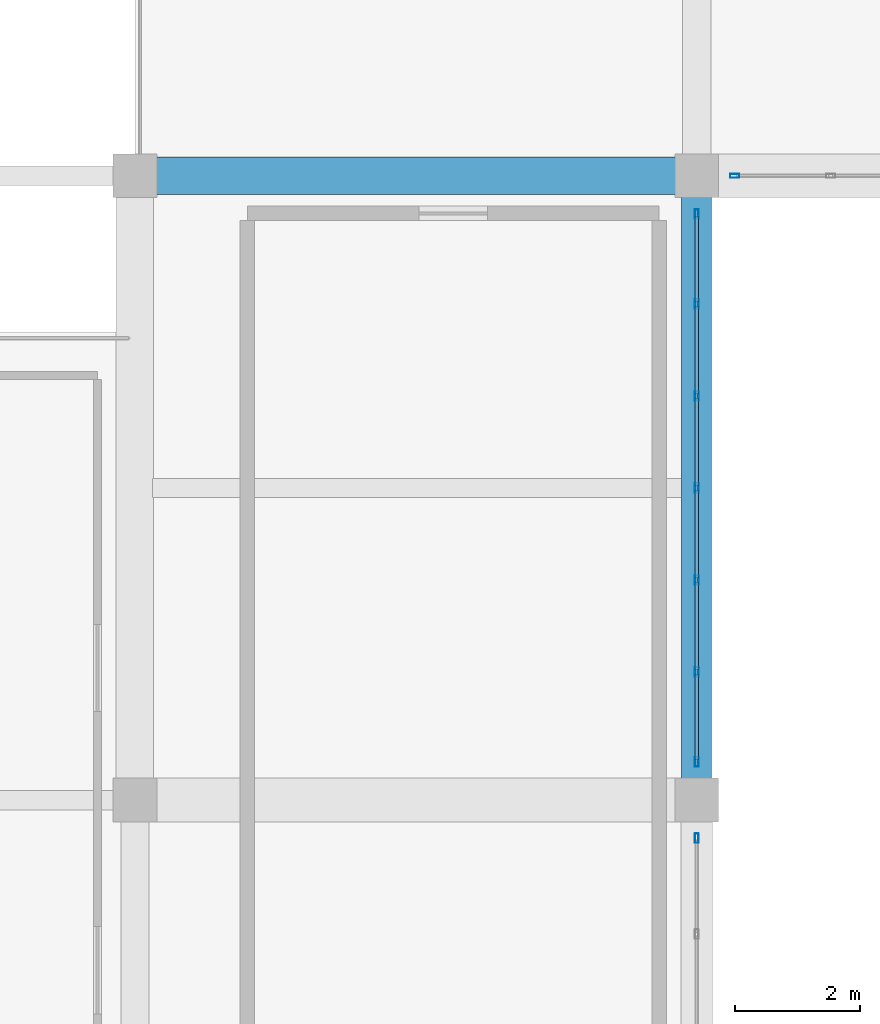
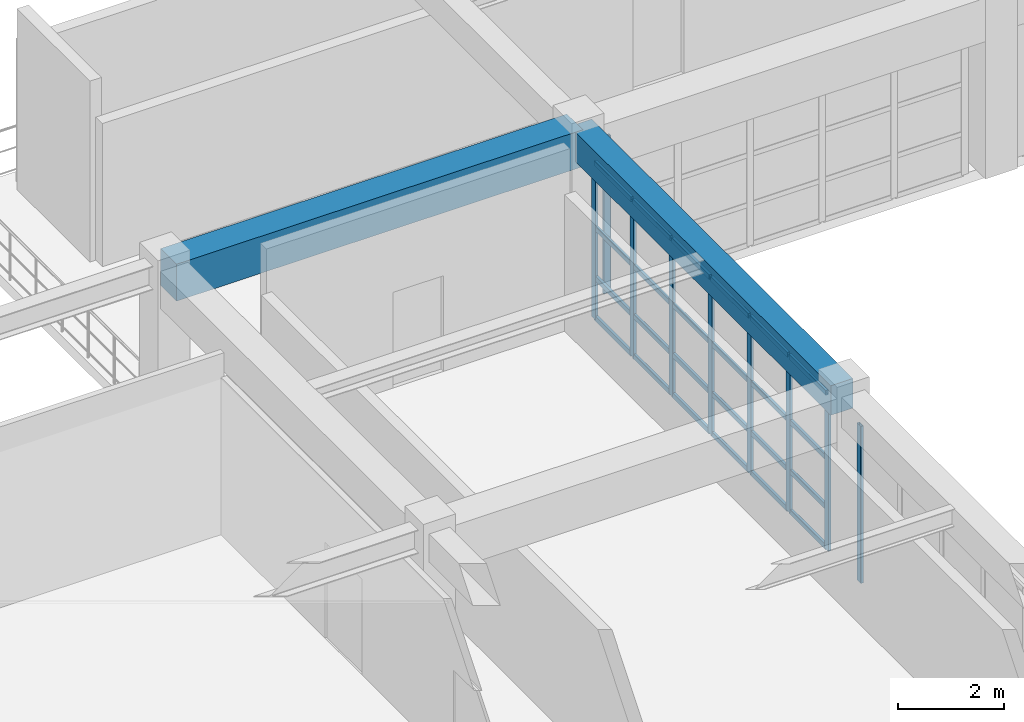
# One storey, part 25 of 133: 33 members, 2 beams, 3 elements without a shape of their own.
"""IFC4 building model written with IfcOpenShell, lengths in metres."""

from ifc_helpers import new_model, si_unit, direction, frame, origin, origin_2d, place, context, subcontext, project, spatial, rectangle, hollow_rectangle, extrude, material, material_profile, profile_set, type_object, element, aggregate, save


model = new_model("IFC4")

# Units and contexts
model_context = context("Model", 3, precision=1e-05, world=origin(), true_north=direction((0.0, 1.0)))
body_context = subcontext(model_context, "Body", "Model", "MODEL_VIEW")
ifc_project = project(units=[si_unit("LENGTHUNIT", "METRE"), si_unit("AREAUNIT", "SQUARE_METRE"), si_unit("VOLUMEUNIT", "CUBIC_METRE"), si_unit("PLANEANGLEUNIT", "RADIAN"), si_unit("MASSUNIT", "GRAM", prefix="KILO")], contexts=[model_context])

# Site, building, storey
site_placement = place(None, origin())
site = spatial("IfcSite", under=ifc_project, at=site_placement, CompositionType="ELEMENT")
building_placement = place(site_placement, origin())
building = spatial("IfcBuilding", under=site, at=building_placement, Name="Miravela Opera House", CompositionType="ELEMENT")
storey_placement = place(building_placement, frame((0.0, 0.0, 5.10009765625)))
storey = spatial("IfcBuildingStorey", under=building, at=storey_placement, Name="L01", CompositionType="ELEMENT", Elevation=5.10009765625)

# Curtain wall, member
ifc_material_1 = material(Name="Anodised architectural bronze aluminium 6063-T6", Category="aluminium")
curtain_wall_type = type_object("IfcCurtainWallType", Name="ARC-CW-06", PredefinedType="NOTDEFINED", material=ifc_material_1)
curtain_wall_1_placement = place(storey_placement, origin())
curtain_wall_1 = element("IfcCurtainWall", 1, at=curtain_wall_1_placement, inside=storey, type_object=curtain_wall_type, Name="Courtyard Arcade Curtain Wall CW-L01-124", PredefinedType="NOTDEFINED")
ifc_material_profile_1 = material_profile(ifc_material_1, hollow_rectangle(XDim=0.06005859375, YDim=0.14990234375, WallThickness=0.00390625, InnerFilletRadius=0.001953125, OuterFilletRadius=0.00390625, at=origin_2d()), Name="CWM-60X150")
ifc_profile_set_1 = profile_set([ifc_material_profile_1])
member_type_1 = type_object("IfcMemberType", Name="ARC-CWM-150", PredefinedType="MULLION", material=ifc_profile_set_1)
member_1_placement = place(storey_placement, frame((27.610107421875, 28.0, 0.0), z_axis=(0.0, 0.0, 1.0), x_axis=(0.0, 1.0, 0.0)))
member_1 = element("IfcMember", 2, at=member_1_placement, type_object=member_type_1, Name="CW-06 mullion 1", PredefinedType="MULLION", context=body_context, shape_type="SweptSolid", body=[
    extrude(hollow_rectangle(XDim=0.06005859375, YDim=0.14990234375, WallThickness=0.00390625, InnerFilletRadius=0.001953125, OuterFilletRadius=0.00390625, at=origin_2d()), origin(), (0.0, 0.0, 1.0), 3.60986328125),
])
aggregate(curtain_wall_1, [member_1])

curtain_wall_2_placement = place(storey_placement, origin())
curtain_wall_2 = element("IfcCurtainWall", 3, at=curtain_wall_2_placement, inside=storey, type_object=curtain_wall_type, Name="Courtyard Arcade Curtain Wall CW-L01-132", PredefinedType="NOTDEFINED")
member_2_placement = place(storey_placement, frame((27.0, 17.389892578125, 0.0), z_axis=(0.0, 0.0, 1.0), x_axis=(-1.0, 0.0, 0.0)))
member_2 = element("IfcMember", 4, at=member_2_placement, type_object=member_type_1, Name="CW-06 mullion 6", PredefinedType="MULLION", context=body_context, shape_type="SweptSolid", body=[
    extrude(hollow_rectangle(XDim=0.06005859375, YDim=0.14990234375, WallThickness=0.00390625, InnerFilletRadius=0.001953125, OuterFilletRadius=0.00390625, at=origin_2d()), origin(), (0.0, 0.0, 1.0), 3.60986328125),
])
aggregate(curtain_wall_2, [member_2])

# Curtain wall, members
curtain_wall_3_placement = place(storey_placement, origin())
curtain_wall_3 = element("IfcCurtainWall", 5, at=curtain_wall_3_placement, inside=storey, type_object=curtain_wall_type, Name="Courtyard Arcade Curtain Wall CW-L01-133", PredefinedType="NOTDEFINED")
member_3_placement = place(storey_placement, frame((27.0, 18.610107421875, 0.0), z_axis=(0.0, 0.0, 1.0), x_axis=(-1.0, 0.0, 0.0)))
member_3 = element("IfcMember", 6, at=member_3_placement, type_object=member_type_1, Name="CW-06 mullion 1", PredefinedType="MULLION", context=body_context, shape_type="SweptSolid", body=[
    extrude(hollow_rectangle(XDim=0.06005859375, YDim=0.14990234375, WallThickness=0.00390625, InnerFilletRadius=0.001953125, OuterFilletRadius=0.00390625, at=origin_2d()), origin(), (0.0, 0.0, 1.0), 3.60986328125),
])
member_4_placement = place(storey_placement, frame((27.0, 20.05322265625, 0.0), z_axis=(0.0, 0.0, 1.0), x_axis=(-1.0, 0.0, 0.0)))
member_4 = element("IfcMember", 7, at=member_4_placement, type_object=member_type_1, Name="CW-06 mullion 2", PredefinedType="MULLION", context=body_context, shape_type="SweptSolid", body=[
    extrude(hollow_rectangle(XDim=0.06005859375, YDim=0.14990234375, WallThickness=0.00390625, InnerFilletRadius=0.001953125, OuterFilletRadius=0.00390625, at=origin_2d()), origin(), (0.0, 0.0, 1.0), 3.60986328125),
])
member_5_placement = place(storey_placement, frame((27.0, 21.526611328125, 0.0), z_axis=(0.0, 0.0, 1.0), x_axis=(-1.0, 0.0, 0.0)))
member_5 = element("IfcMember", 8, at=member_5_placement, type_object=member_type_1, Name="CW-06 mullion 3", PredefinedType="MULLION", context=body_context, shape_type="SweptSolid", body=[
    extrude(hollow_rectangle(XDim=0.06005859375, YDim=0.14990234375, WallThickness=0.00390625, InnerFilletRadius=0.001953125, OuterFilletRadius=0.00390625, at=origin_2d()), origin(), (0.0, 0.0, 1.0), 3.60986328125),
])
member_6_placement = place(storey_placement, frame((27.0, 23.0, 0.0), z_axis=(0.0, 0.0, 1.0), x_axis=(-1.0, 0.0, 0.0)))
member_6 = element("IfcMember", 9, at=member_6_placement, type_object=member_type_1, Name="CW-06 mullion 4", PredefinedType="MULLION", context=body_context, shape_type="SweptSolid", body=[
    extrude(hollow_rectangle(XDim=0.06005859375, YDim=0.14990234375, WallThickness=0.00390625, InnerFilletRadius=0.001953125, OuterFilletRadius=0.00390625, at=origin_2d()), origin(), (0.0, 0.0, 1.0), 3.60986328125),
])
member_7_placement = place(storey_placement, frame((27.0, 24.473388671875, 0.0), z_axis=(0.0, 0.0, 1.0), x_axis=(-1.0, 0.0, 0.0)))
member_7 = element("IfcMember", 10, at=member_7_placement, type_object=member_type_1, Name="CW-06 mullion 5", PredefinedType="MULLION", context=body_context, shape_type="SweptSolid", body=[
    extrude(hollow_rectangle(XDim=0.06005859375, YDim=0.14990234375, WallThickness=0.00390625, InnerFilletRadius=0.001953125, OuterFilletRadius=0.00390625, at=origin_2d()), origin(), (0.0, 0.0, 1.0), 3.60986328125),
])
member_8_placement = place(storey_placement, frame((27.0, 25.94677734375, 0.0), z_axis=(0.0, 0.0, 1.0), x_axis=(-1.0, 0.0, 0.0)))
member_8 = element("IfcMember", 11, at=member_8_placement, type_object=member_type_1, Name="CW-06 mullion 6", PredefinedType="MULLION", context=body_context, shape_type="SweptSolid", body=[
    extrude(hollow_rectangle(XDim=0.06005859375, YDim=0.14990234375, WallThickness=0.00390625, InnerFilletRadius=0.001953125, OuterFilletRadius=0.00390625, at=origin_2d()), origin(), (0.0, 0.0, 1.0), 3.60986328125),
])
member_9_placement = place(storey_placement, frame((27.0, 27.389892578125, 0.0), z_axis=(0.0, 0.0, 1.0), x_axis=(-1.0, 0.0, 0.0)))
member_9 = element("IfcMember", 12, at=member_9_placement, type_object=member_type_1, Name="CW-06 mullion 7", PredefinedType="MULLION", context=body_context, shape_type="SweptSolid", body=[
    extrude(hollow_rectangle(XDim=0.06005859375, YDim=0.14990234375, WallThickness=0.00390625, InnerFilletRadius=0.001953125, OuterFilletRadius=0.00390625, at=origin_2d()), origin(), (0.0, 0.0, 1.0), 3.60986328125),
])
ifc_material_profile_2 = material_profile(ifc_material_1, hollow_rectangle(XDim=0.06005859375, YDim=0.114990234375, WallThickness=0.00390625, InnerFilletRadius=0.001953125, OuterFilletRadius=0.00390625, at=origin_2d()), Name="CWT-60X115")
ifc_profile_set_2 = profile_set([ifc_material_profile_2])
member_type_2 = type_object("IfcMemberType", Name="ARC-CWT-115", PredefinedType="USERDEFINED", material=ifc_profile_set_2)
member_10_placement = place(storey_placement, frame((27.0, 18.639892578125, 0.02978515625), z_axis=(0.0, 1.0, 0.0), x_axis=(-1.0, 0.0, 0.0)))
member_10 = element("IfcMember", 13, at=member_10_placement, type_object=member_type_2, Name="CW-06 transom 1.1", ObjectType="TRANSOM", PredefinedType="USERDEFINED", context=body_context, shape_type="SweptSolid", body=[
    extrude(hollow_rectangle(XDim=0.06005859375, YDim=0.114990234375, WallThickness=0.00390625, InnerFilletRadius=0.001953125, OuterFilletRadius=0.00390625, at=origin_2d()), origin(), (0.0, 0.0, 1.0), 1.383544921875),
])
member_11_placement = place(storey_placement, frame((27.0, 18.639892578125, 0.949951171875), z_axis=(0.0, 1.0, 0.0), x_axis=(-1.0, 0.0, 0.0)))
member_11 = element("IfcMember", 14, at=member_11_placement, type_object=member_type_2, Name="CW-06 transom 1.2", ObjectType="TRANSOM", PredefinedType="USERDEFINED", context=body_context, shape_type="SweptSolid", body=[
    extrude(hollow_rectangle(XDim=0.06005859375, YDim=0.114990234375, WallThickness=0.00390625, InnerFilletRadius=0.001953125, OuterFilletRadius=0.00390625, at=origin_2d()), origin(), (0.0, 0.0, 1.0), 1.383544921875),
])
member_12_placement = place(storey_placement, frame((27.0, 18.639892578125, 2.09375), z_axis=(0.0, 1.0, 0.0), x_axis=(-1.0, 0.0, 0.0)))
member_12 = element("IfcMember", 15, at=member_12_placement, type_object=member_type_2, Name="CW-06 transom 1.3", ObjectType="TRANSOM", PredefinedType="USERDEFINED", context=body_context, shape_type="SweptSolid", body=[
    extrude(hollow_rectangle(XDim=0.06005859375, YDim=0.114990234375, WallThickness=0.00390625, InnerFilletRadius=0.001953125, OuterFilletRadius=0.00390625, at=origin_2d()), origin(), (0.0, 0.0, 1.0), 1.383544921875),
])
member_13_placement = place(storey_placement, frame((27.0, 18.639892578125, 3.579833984375), z_axis=(0.0, 1.0, 0.0), x_axis=(-1.0, 0.0, 0.0)))
member_13 = element("IfcMember", 16, at=member_13_placement, type_object=member_type_2, Name="CW-06 transom 1.4", ObjectType="TRANSOM", PredefinedType="USERDEFINED", context=body_context, shape_type="SweptSolid", body=[
    extrude(hollow_rectangle(XDim=0.06005859375, YDim=0.114990234375, WallThickness=0.00390625, InnerFilletRadius=0.001953125, OuterFilletRadius=0.00390625, at=origin_2d()), origin(), (0.0, 0.0, 1.0), 1.383544921875),
])
member_14_placement = place(storey_placement, frame((27.0, 20.083251953125, 0.02978515625), z_axis=(0.0, 1.0, 0.0), x_axis=(-1.0, 0.0, 0.0)))
member_14 = element("IfcMember", 17, at=member_14_placement, type_object=member_type_2, Name="CW-06 transom 2.1", ObjectType="TRANSOM", PredefinedType="USERDEFINED", context=body_context, shape_type="SweptSolid", body=[
    extrude(hollow_rectangle(XDim=0.06005859375, YDim=0.114990234375, WallThickness=0.00390625, InnerFilletRadius=0.001953125, OuterFilletRadius=0.00390625, at=origin_2d()), origin(), (0.0, 0.0, 1.0), 1.413330078125),
])
member_15_placement = place(storey_placement, frame((27.0, 20.083251953125, 0.949951171875), z_axis=(0.0, 1.0, 0.0), x_axis=(-1.0, 0.0, 0.0)))
member_15 = element("IfcMember", 18, at=member_15_placement, type_object=member_type_2, Name="CW-06 transom 2.2", ObjectType="TRANSOM", PredefinedType="USERDEFINED", context=body_context, shape_type="SweptSolid", body=[
    extrude(hollow_rectangle(XDim=0.06005859375, YDim=0.114990234375, WallThickness=0.00390625, InnerFilletRadius=0.001953125, OuterFilletRadius=0.00390625, at=origin_2d()), origin(), (0.0, 0.0, 1.0), 1.413330078125),
])
member_16_placement = place(storey_placement, frame((27.0, 20.083251953125, 2.09375), z_axis=(0.0, 1.0, 0.0), x_axis=(-1.0, 0.0, 0.0)))
member_16 = element("IfcMember", 19, at=member_16_placement, type_object=member_type_2, Name="CW-06 transom 2.3", ObjectType="TRANSOM", PredefinedType="USERDEFINED", context=body_context, shape_type="SweptSolid", body=[
    extrude(hollow_rectangle(XDim=0.06005859375, YDim=0.114990234375, WallThickness=0.00390625, InnerFilletRadius=0.001953125, OuterFilletRadius=0.00390625, at=origin_2d()), origin(), (0.0, 0.0, 1.0), 1.413330078125),
])
member_17_placement = place(storey_placement, frame((27.0, 20.083251953125, 3.579833984375), z_axis=(0.0, 1.0, 0.0), x_axis=(-1.0, 0.0, 0.0)))
member_17 = element("IfcMember", 20, at=member_17_placement, type_object=member_type_2, Name="CW-06 transom 2.4", ObjectType="TRANSOM", PredefinedType="USERDEFINED", context=body_context, shape_type="SweptSolid", body=[
    extrude(hollow_rectangle(XDim=0.06005859375, YDim=0.114990234375, WallThickness=0.00390625, InnerFilletRadius=0.001953125, OuterFilletRadius=0.00390625, at=origin_2d()), origin(), (0.0, 0.0, 1.0), 1.413330078125),
])
member_18_placement = place(storey_placement, frame((27.0, 21.556640625, 0.02978515625), z_axis=(0.0, 1.0, 0.0), x_axis=(-1.0, 0.0, 0.0)))
member_18 = element("IfcMember", 21, at=member_18_placement, type_object=member_type_2, Name="CW-06 transom 3.1", ObjectType="TRANSOM", PredefinedType="USERDEFINED", context=body_context, shape_type="SweptSolid", body=[
    extrude(hollow_rectangle(XDim=0.06005859375, YDim=0.114990234375, WallThickness=0.00390625, InnerFilletRadius=0.001953125, OuterFilletRadius=0.00390625, at=origin_2d()), origin(), (0.0, 0.0, 1.0), 1.413330078125),
])
member_19_placement = place(storey_placement, frame((27.0, 21.556640625, 0.949951171875), z_axis=(0.0, 1.0, 0.0), x_axis=(-1.0, 0.0, 0.0)))
member_19 = element("IfcMember", 22, at=member_19_placement, type_object=member_type_2, Name="CW-06 transom 3.2", ObjectType="TRANSOM", PredefinedType="USERDEFINED", context=body_context, shape_type="SweptSolid", body=[
    extrude(hollow_rectangle(XDim=0.06005859375, YDim=0.114990234375, WallThickness=0.00390625, InnerFilletRadius=0.001953125, OuterFilletRadius=0.00390625, at=origin_2d()), origin(), (0.0, 0.0, 1.0), 1.413330078125),
])
member_20_placement = place(storey_placement, frame((27.0, 21.556640625, 2.09375), z_axis=(0.0, 1.0, 0.0), x_axis=(-1.0, 0.0, 0.0)))
member_20 = element("IfcMember", 23, at=member_20_placement, type_object=member_type_2, Name="CW-06 transom 3.3", ObjectType="TRANSOM", PredefinedType="USERDEFINED", context=body_context, shape_type="SweptSolid", body=[
    extrude(hollow_rectangle(XDim=0.06005859375, YDim=0.114990234375, WallThickness=0.00390625, InnerFilletRadius=0.001953125, OuterFilletRadius=0.00390625, at=origin_2d()), origin(), (0.0, 0.0, 1.0), 1.413330078125),
])
member_21_placement = place(storey_placement, frame((27.0, 21.556640625, 3.579833984375), z_axis=(0.0, 1.0, 0.0), x_axis=(-1.0, 0.0, 0.0)))
member_21 = element("IfcMember", 24, at=member_21_placement, type_object=member_type_2, Name="CW-06 transom 3.4", ObjectType="TRANSOM", PredefinedType="USERDEFINED", context=body_context, shape_type="SweptSolid", body=[
    extrude(hollow_rectangle(XDim=0.06005859375, YDim=0.114990234375, WallThickness=0.00390625, InnerFilletRadius=0.001953125, OuterFilletRadius=0.00390625, at=origin_2d()), origin(), (0.0, 0.0, 1.0), 1.413330078125),
])
member_22_placement = place(storey_placement, frame((27.0, 23.030029296875, 0.02978515625), z_axis=(0.0, 1.0, 0.0), x_axis=(-1.0, 0.0, 0.0)))
member_22 = element("IfcMember", 25, at=member_22_placement, type_object=member_type_2, Name="CW-06 transom 4.1", ObjectType="TRANSOM", PredefinedType="USERDEFINED", context=body_context, shape_type="SweptSolid", body=[
    extrude(hollow_rectangle(XDim=0.06005859375, YDim=0.114990234375, WallThickness=0.00390625, InnerFilletRadius=0.001953125, OuterFilletRadius=0.00390625, at=origin_2d()), origin(), (0.0, 0.0, 1.0), 1.413330078125),
])
member_23_placement = place(storey_placement, frame((27.0, 23.030029296875, 0.949951171875), z_axis=(0.0, 1.0, 0.0), x_axis=(-1.0, 0.0, 0.0)))
member_23 = element("IfcMember", 26, at=member_23_placement, type_object=member_type_2, Name="CW-06 transom 4.2", ObjectType="TRANSOM", PredefinedType="USERDEFINED", context=body_context, shape_type="SweptSolid", body=[
    extrude(hollow_rectangle(XDim=0.06005859375, YDim=0.114990234375, WallThickness=0.00390625, InnerFilletRadius=0.001953125, OuterFilletRadius=0.00390625, at=origin_2d()), origin(), (0.0, 0.0, 1.0), 1.413330078125),
])
member_24_placement = place(storey_placement, frame((27.0, 23.030029296875, 2.09375), z_axis=(0.0, 1.0, 0.0), x_axis=(-1.0, 0.0, 0.0)))
member_24 = element("IfcMember", 27, at=member_24_placement, type_object=member_type_2, Name="CW-06 transom 4.3", ObjectType="TRANSOM", PredefinedType="USERDEFINED", context=body_context, shape_type="SweptSolid", body=[
    extrude(hollow_rectangle(XDim=0.06005859375, YDim=0.114990234375, WallThickness=0.00390625, InnerFilletRadius=0.001953125, OuterFilletRadius=0.00390625, at=origin_2d()), origin(), (0.0, 0.0, 1.0), 1.413330078125),
])
member_25_placement = place(storey_placement, frame((27.0, 23.030029296875, 3.579833984375), z_axis=(0.0, 1.0, 0.0), x_axis=(-1.0, 0.0, 0.0)))
member_25 = element("IfcMember", 28, at=member_25_placement, type_object=member_type_2, Name="CW-06 transom 4.4", ObjectType="TRANSOM", PredefinedType="USERDEFINED", context=body_context, shape_type="SweptSolid", body=[
    extrude(hollow_rectangle(XDim=0.06005859375, YDim=0.114990234375, WallThickness=0.00390625, InnerFilletRadius=0.001953125, OuterFilletRadius=0.00390625, at=origin_2d()), origin(), (0.0, 0.0, 1.0), 1.413330078125),
])
member_26_placement = place(storey_placement, frame((27.0, 24.50341796875, 0.02978515625), z_axis=(0.0, 1.0, 0.0), x_axis=(-1.0, 0.0, 0.0)))
member_26 = element("IfcMember", 29, at=member_26_placement, type_object=member_type_2, Name="CW-06 transom 5.1", ObjectType="TRANSOM", PredefinedType="USERDEFINED", context=body_context, shape_type="SweptSolid", body=[
    extrude(hollow_rectangle(XDim=0.06005859375, YDim=0.114990234375, WallThickness=0.00390625, InnerFilletRadius=0.001953125, OuterFilletRadius=0.00390625, at=origin_2d()), origin(), (0.0, 0.0, 1.0), 1.413330078125),
])
member_27_placement = place(storey_placement, frame((27.0, 24.50341796875, 0.949951171875), z_axis=(0.0, 1.0, 0.0), x_axis=(-1.0, 0.0, 0.0)))
member_27 = element("IfcMember", 30, at=member_27_placement, type_object=member_type_2, Name="CW-06 transom 5.2", ObjectType="TRANSOM", PredefinedType="USERDEFINED", context=body_context, shape_type="SweptSolid", body=[
    extrude(hollow_rectangle(XDim=0.06005859375, YDim=0.114990234375, WallThickness=0.00390625, InnerFilletRadius=0.001953125, OuterFilletRadius=0.00390625, at=origin_2d()), origin(), (0.0, 0.0, 1.0), 1.413330078125),
])
member_28_placement = place(storey_placement, frame((27.0, 24.50341796875, 2.09375), z_axis=(0.0, 1.0, 0.0), x_axis=(-1.0, 0.0, 0.0)))
member_28 = element("IfcMember", 31, at=member_28_placement, type_object=member_type_2, Name="CW-06 transom 5.3", ObjectType="TRANSOM", PredefinedType="USERDEFINED", context=body_context, shape_type="SweptSolid", body=[
    extrude(hollow_rectangle(XDim=0.06005859375, YDim=0.114990234375, WallThickness=0.00390625, InnerFilletRadius=0.001953125, OuterFilletRadius=0.00390625, at=origin_2d()), origin(), (0.0, 0.0, 1.0), 1.413330078125),
])
member_29_placement = place(storey_placement, frame((27.0, 24.50341796875, 3.579833984375), z_axis=(0.0, 1.0, 0.0), x_axis=(-1.0, 0.0, 0.0)))
member_29 = element("IfcMember", 32, at=member_29_placement, type_object=member_type_2, Name="CW-06 transom 5.4", ObjectType="TRANSOM", PredefinedType="USERDEFINED", context=body_context, shape_type="SweptSolid", body=[
    extrude(hollow_rectangle(XDim=0.06005859375, YDim=0.114990234375, WallThickness=0.00390625, InnerFilletRadius=0.001953125, OuterFilletRadius=0.00390625, at=origin_2d()), origin(), (0.0, 0.0, 1.0), 1.413330078125),
])
member_30_placement = place(storey_placement, frame((27.0, 25.9765625, 0.02978515625), z_axis=(0.0, 1.0, 0.0), x_axis=(-1.0, 0.0, 0.0)))
member_30 = element("IfcMember", 33, at=member_30_placement, type_object=member_type_2, Name="CW-06 transom 6.1", ObjectType="TRANSOM", PredefinedType="USERDEFINED", context=body_context, shape_type="SweptSolid", body=[
    extrude(hollow_rectangle(XDim=0.06005859375, YDim=0.114990234375, WallThickness=0.00390625, InnerFilletRadius=0.001953125, OuterFilletRadius=0.00390625, at=origin_2d()), origin(), (0.0, 0.0, 1.0), 1.383544921875),
])
member_31_placement = place(storey_placement, frame((27.0, 25.9765625, 0.949951171875), z_axis=(0.0, 1.0, 0.0), x_axis=(-1.0, 0.0, 0.0)))
member_31 = element("IfcMember", 34, at=member_31_placement, type_object=member_type_2, Name="CW-06 transom 6.2", ObjectType="TRANSOM", PredefinedType="USERDEFINED", context=body_context, shape_type="SweptSolid", body=[
    extrude(hollow_rectangle(XDim=0.06005859375, YDim=0.114990234375, WallThickness=0.00390625, InnerFilletRadius=0.001953125, OuterFilletRadius=0.00390625, at=origin_2d()), origin(), (0.0, 0.0, 1.0), 1.383544921875),
])
member_32_placement = place(storey_placement, frame((27.0, 25.9765625, 2.09375), z_axis=(0.0, 1.0, 0.0), x_axis=(-1.0, 0.0, 0.0)))
member_32 = element("IfcMember", 35, at=member_32_placement, type_object=member_type_2, Name="CW-06 transom 6.3", ObjectType="TRANSOM", PredefinedType="USERDEFINED", context=body_context, shape_type="SweptSolid", body=[
    extrude(hollow_rectangle(XDim=0.06005859375, YDim=0.114990234375, WallThickness=0.00390625, InnerFilletRadius=0.001953125, OuterFilletRadius=0.00390625, at=origin_2d()), origin(), (0.0, 0.0, 1.0), 1.383544921875),
])
member_33_placement = place(storey_placement, frame((27.0, 25.9765625, 3.579833984375), z_axis=(0.0, 1.0, 0.0), x_axis=(-1.0, 0.0, 0.0)))
member_33 = element("IfcMember", 36, at=member_33_placement, type_object=member_type_2, Name="CW-06 transom 6.4", ObjectType="TRANSOM", PredefinedType="USERDEFINED", context=body_context, shape_type="SweptSolid", body=[
    extrude(hollow_rectangle(XDim=0.06005859375, YDim=0.114990234375, WallThickness=0.00390625, InnerFilletRadius=0.001953125, OuterFilletRadius=0.00390625, at=origin_2d()), origin(), (0.0, 0.0, 1.0), 1.383544921875),
])
aggregate(curtain_wall_3, [member_3, member_4, member_5, member_6, member_7, member_8, member_9, member_10, member_11, member_12, member_13, member_14, member_15, member_16, member_17, member_18, member_19, member_20, member_21, member_22, member_23, member_24, member_25, member_26, member_27, member_28, member_29, member_30, member_31, member_32, member_33])

# Beams
ifc_material_2 = material(Name="Concrete C35/45", Category="concrete")
ifc_material_profile_3 = material_profile(ifc_material_2, rectangle(XDim=0.47998046875, YDim=0.679931640625, at=origin_2d()), Name="RC-BM-480X680")
ifc_profile_set_3 = profile_set([ifc_material_profile_3])
beam_type_1 = type_object("IfcBeamType", Name="STR-BM-RC480X680", PredefinedType="BEAM", material=ifc_profile_set_3)
beam_1_placement = place(storey_placement, frame((27.0, 18.080078125, 3.81982421875), z_axis=(0.0, 1.0, 0.0), x_axis=(-1.0, 0.0, 0.0)))
element("IfcBeam", 37, at=beam_1_placement, inside=storey, type_object=beam_type_1, Name="Floor Girder L01 4/C-D", PredefinedType="BEAM", context=body_context, shape_type="SweptSolid", body=[
    extrude(rectangle(XDim=0.47998046875, YDim=0.679931640625, at=origin_2d()), origin(), (0.0, 0.0, 1.0), 9.83984375),
])
ifc_material_3 = material(Name="Concrete C40/50", Category="concrete")
ifc_material_profile_4 = material_profile(ifc_material_3, rectangle(XDim=0.60009765625, YDim=0.85009765625, at=origin_2d()), Name="RC-BM-600X850")
ifc_profile_set_4 = profile_set([ifc_material_profile_4])
beam_type_2 = type_object("IfcBeamType", Name="STR-BM-RC600X850", PredefinedType="BEAM", material=ifc_profile_set_4)
beam_2_placement = place(storey_placement, frame((18.080078125, 28.0, 3.73486328125), z_axis=(1.0, 0.0, 0.0), x_axis=(0.0, 1.0, 0.0)))
element("IfcBeam", 38, at=beam_2_placement, inside=storey, type_object=beam_type_2, Name="Floor Girder L01 3-4/D", PredefinedType="BEAM", context=body_context, shape_type="SweptSolid", body=[
    extrude(rectangle(XDim=0.60009765625, YDim=0.85009765625, at=origin_2d()), origin(), (0.0, 0.0, 1.0), 8.83984375),
])

save(model, "model.ifc")
